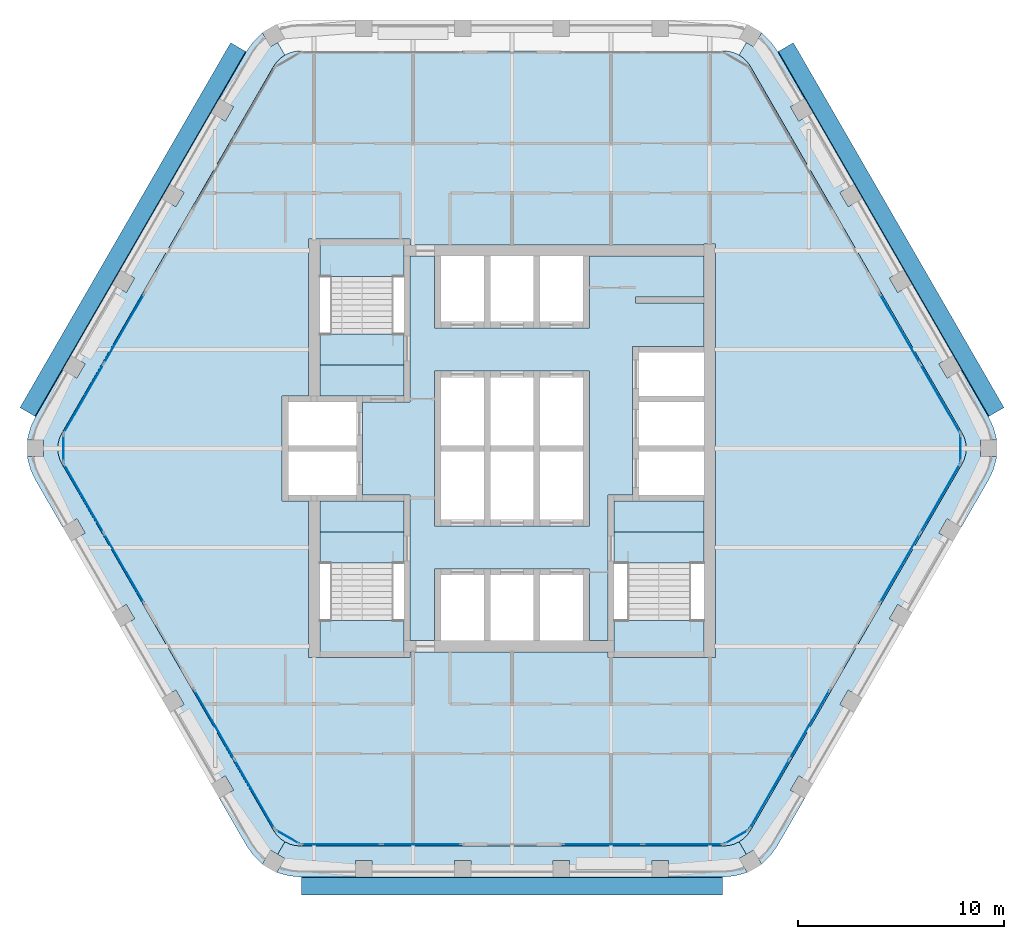
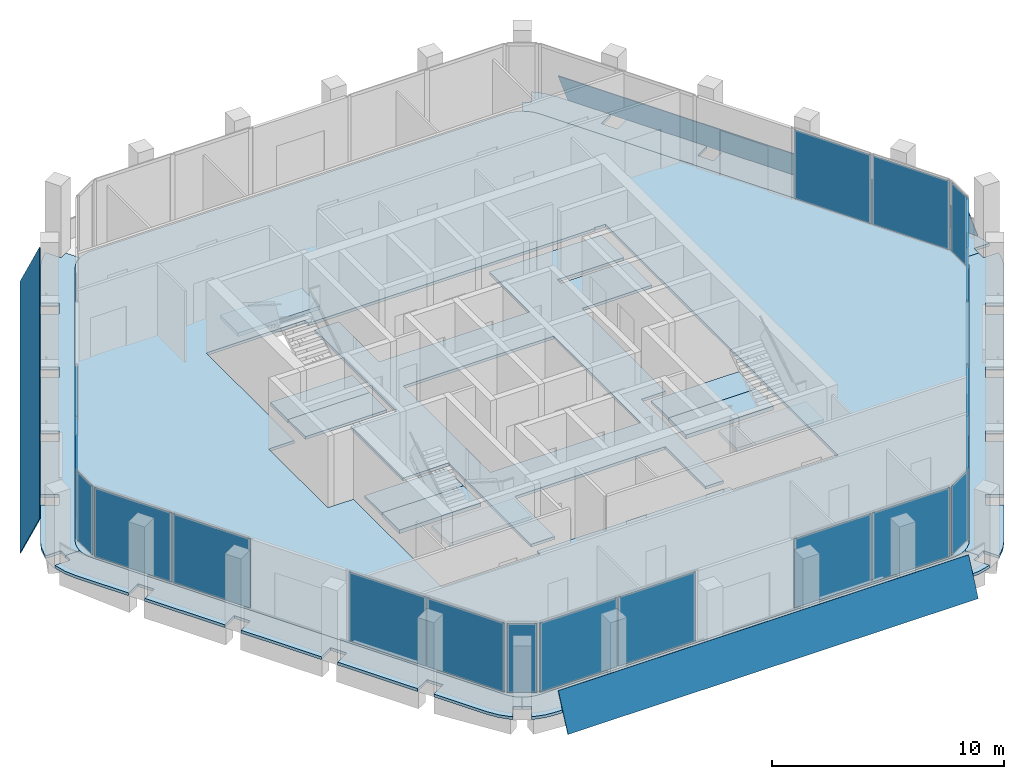
# One storey, part 6 of 14: 23 plates, 16 slabs, 15 elements without a shape of their own.
"""IFC4 building model written with IfcOpenShell, lengths in metres."""

from ifc_helpers import new_model, si_unit, direction, frame, origin, origin_2d, place, context, subcontext, project, spatial, polyline, rectangle, outline, extrude, material, layer, layer_set, type_object, element, aggregate, save


model = new_model("IFC4")

# Units and contexts
model_context = context("Model", 3, precision=1e-05, world=origin(), true_north=direction((0.0, 1.0)))
body_context = subcontext(model_context, "Body", "Model", "MODEL_VIEW")
ifc_project = project(units=[si_unit("LENGTHUNIT", "METRE"), si_unit("AREAUNIT", "SQUARE_METRE"), si_unit("VOLUMEUNIT", "CUBIC_METRE"), si_unit("PLANEANGLEUNIT", "RADIAN"), si_unit("MASSUNIT", "GRAM", prefix="KILO")], contexts=[model_context])

# Site, building, storey
site_placement = place(None, origin())
site = spatial("IfcSite", under=ifc_project, at=site_placement, CompositionType="ELEMENT")
building_placement = place(site_placement, origin())
building = spatial("IfcBuilding", under=site, at=building_placement, Name="Kolab Exchange Tower", CompositionType="ELEMENT")
storey_placement = place(building_placement, frame((0.0, 0.0, 246.199951171875)))
storey = spatial("IfcBuildingStorey", under=building, at=storey_placement, Name="L54", CompositionType="ELEMENT", Elevation=246.199951171875)

# Slabs
ifc_material_1 = material(Name="Concrete C35/45", Category="concrete")
ifc_layer_1 = layer(ifc_material_1, 0.14990234375)
ifc_layer_set_1 = layer_set([ifc_layer_1], Name="Concrete C35/45")
slab_type_1 = type_object("IfcSlabType", Name="FLOOR SLAB 150", PredefinedType="FLOOR", material=ifc_layer_set_1)
slab_1_placement = place(storey_placement, frame((0.0, 0.0, -0.14990234375)))
element("IfcSlab", 1, at=slab_1_placement, inside=storey, type_object=slab_type_1, Name="slab/L54/floor/0", PredefinedType="FLOOR", context=body_context, shape_type="SweptSolid", body=[
    extrude(outline(polyline([(11.56689453125, -18.53466796875), (21.8349609375, -0.75), (21.945556640625, -0.512939453125), (22.01318359375, -0.260498046875), (22.035888671875, 0.0), (22.01318359375, 0.260498046875), (21.945556640625, 0.512939453125), (21.8349609375, 0.75), (11.56689453125, 18.53466796875), (11.4169921875, 18.748779296875), (11.232177734375, 18.93359375), (11.01806640625, 19.083740234375), (10.781005859375, 19.194091796875), (10.5283203125, 19.26171875), (10.26806640625, 19.28466796875), (-10.26806640625, 19.28466796875), (-10.5283203125, 19.26171875), (-10.781005859375, 19.194091796875), (-11.01806640625, 19.083740234375), (-11.232177734375, 18.93359375), (-11.4169921875, 18.748779296875), (-11.56689453125, 18.53466796875), (-21.8349609375, 0.75), (-21.945556640625, 0.512939453125), (-22.01318359375, 0.260498046875), (-22.035888671875, 0.0), (-22.01318359375, -0.260498046875), (-21.945556640625, -0.512939453125), (-21.8349609375, -0.75), (-11.56689453125, -18.53466796875), (-11.4169921875, -18.748779296875), (-11.232177734375, -18.93359375), (-11.01806640625, -19.083740234375), (-10.781005859375, -19.194091796875), (-10.5283203125, -19.26171875), (-10.26806640625, -19.28466796875), (10.26806640625, -19.28466796875), (10.5283203125, -19.26171875), (10.781005859375, -19.194091796875), (11.01806640625, -19.083740234375), (11.232177734375, -18.93359375), (11.4169921875, -18.748779296875), (11.56689453125, -18.53466796875)]), holes=[polyline([(-9.324951171875, -10.14990234375), (-9.875, -10.14990234375), (-9.875, -2.550048828125), (-10.85009765625, -2.550048828125), (-11.14990234375, -2.550048828125), (-11.14990234375, 2.550048828125), (-10.85009765625, 2.550048828125), (-9.875, 2.550048828125), (-9.875, 10.14990234375), (-9.324951171875, 10.14990234375), (-5.25, 10.14990234375), (-4.949951171875, 10.14990234375), (-4.949951171875, 9.875), (9.324951171875, 9.875), (9.324951171875, 9.925048828125), (9.875, 9.925048828125), (9.875, -10.14990234375), (9.324951171875, -10.14990234375), (4.949951171875, -10.14990234375), (4.64990234375, -10.14990234375), (4.64990234375, -9.875), (-4.949951171875, -9.875), (-4.949951171875, -10.14990234375), (-5.25, -10.14990234375), (-9.324951171875, -10.14990234375)])]), origin(), (0.0, 0.0, 1.0), 0.14990234375),
])
slab_2_placement = place(storey_placement, frame((0.0, 0.0, -0.14990234375)))
element("IfcSlab", 2, at=slab_2_placement, inside=storey, type_object=slab_type_1, Name="slab/L54/floor/1", PredefinedType="FLOOR", context=body_context, shape_type="SweptSolid", body=[
    extrude(outline(polyline([(-4.949951171875, 9.324951171875), (-4.949951171875, 2.25), (-5.25, 2.25), (-7.25, 2.25), (-7.25, -2.25), (-5.25, -2.25), (-4.949951171875, -2.25), (-4.949951171875, -9.324951171875), (-3.75, -9.324951171875), (-3.75, -5.85009765625), (-3.449951171875, -5.85009765625), (-1.35009765625, -5.85009765625), (-1.050048828125, -5.85009765625), (1.050048828125, -5.85009765625), (1.35009765625, -5.85009765625), (3.449951171875, -5.85009765625), (3.75, -5.85009765625), (3.75, -9.324951171875), (4.64990234375, -9.324951171875), (4.64990234375, -2.25), (4.949951171875, -2.25), (5.85009765625, -2.25), (5.85009765625, 4.949951171875), (6.14990234375, 4.949951171875), (9.324951171875, 4.949951171875), (9.324951171875, 7.050048828125), (6.0, 7.050048828125), (6.0, 7.35009765625), (9.324951171875, 7.35009765625), (9.324951171875, 9.324951171875), (3.75, 9.324951171875), (3.75, 5.85009765625), (3.449951171875, 5.85009765625), (1.35009765625, 5.85009765625), (1.050048828125, 5.85009765625), (-1.050048828125, 5.85009765625), (-1.35009765625, 5.85009765625), (-3.449951171875, 5.85009765625), (-3.75, 5.85009765625), (-3.75, 9.324951171875), (-4.949951171875, 9.324951171875)]), holes=[polyline([(-3.449951171875, -3.75), (-3.75, -3.75), (-3.75, 3.75), (-3.449951171875, 3.75), (-1.35009765625, 3.75), (-1.050048828125, 3.75), (1.050048828125, 3.75), (1.35009765625, 3.75), (3.449951171875, 3.75), (3.75, 3.75), (3.75, -3.75), (3.449951171875, -3.75), (1.35009765625, -3.75), (1.050048828125, -3.75), (-1.050048828125, -3.75), (-1.35009765625, -3.75), (-3.449951171875, -3.75)])]), origin(), (0.0, 0.0, 1.0), 0.14990234375),
])
slab_3_placement = place(storey_placement, frame((0.0, 0.0, -0.14990234375)))
element("IfcSlab", 3, at=slab_3_placement, inside=storey, type_object=slab_type_1, Name="slab/L54/floor/2", PredefinedType="FLOOR", context=body_context, shape_type="SweptSolid", body=[
    extrude(outline(polyline([(4.949951171875, -2.550048828125), (4.949951171875, -4.050048828125), (9.324951171875, -4.050048828125), (9.324951171875, -2.550048828125), (6.14990234375, -2.550048828125), (5.85009765625, -2.550048828125), (4.949951171875, -2.550048828125)])), origin(), (0.0, 0.0, 1.0), 0.14990234375),
])
slab_4_placement = place(storey_placement, frame((0.0, 0.0, -0.14990234375)))
element("IfcSlab", 4, at=slab_4_placement, inside=storey, type_object=slab_type_1, Name="slab/L54/floor/3", PredefinedType="FLOOR", context=body_context, shape_type="SweptSolid", body=[
    extrude(outline(polyline([(-7.550048828125, -2.550048828125), (-9.324951171875, -2.550048828125), (-9.324951171875, -4.050048828125), (-5.25, -4.050048828125), (-5.25, -2.550048828125), (-7.25, -2.550048828125), (-7.550048828125, -2.550048828125)])), origin(), (0.0, 0.0, 1.0), 0.14990234375),
])
slab_5_placement = place(storey_placement, frame((0.0, 0.0, -0.14990234375)))
element("IfcSlab", 5, at=slab_5_placement, inside=storey, type_object=slab_type_1, Name="slab/L54/floor/4", PredefinedType="FLOOR", context=body_context, shape_type="SweptSolid", body=[
    extrude(outline(polyline([(-9.324951171875, 4.050048828125), (-9.324951171875, 2.550048828125), (-7.550048828125, 2.550048828125), (-7.25, 2.550048828125), (-5.25, 2.550048828125), (-5.25, 4.050048828125), (-9.324951171875, 4.050048828125)])), origin(), (0.0, 0.0, 1.0), 0.14990234375),
])
ifc_layer_2 = layer(ifc_material_1, 0.14990234375)
ifc_layer_set_2 = layer_set([ifc_layer_2], Name="Concrete C35/45")
slab_type_2 = type_object("IfcSlabType", Name="LOGGIA SLAB 150", PredefinedType="FLOOR", material=ifc_layer_set_2)
slab_6_placement = place(storey_placement, frame((0.0, 0.0, -0.14990234375)))
element("IfcSlab", 6, at=slab_6_placement, inside=storey, type_object=slab_type_2, Name="slab/L54/loggia/1-0", PredefinedType="FLOOR", context=body_context, shape_type="SweptSolid", body=[
    extrude(outline(polyline([(22.035888671875, 0.0), (22.73583984375, 0.0), (22.73583984375, 0.39990234375), (23.5009765625, 0.39990234375), (23.490234375, 0.52099609375), (23.35498046875, 1.026123046875), (23.134033203125, 1.5), (21.800048828125, 3.810546875), (21.107177734375, 3.410400390625), (20.707275390625, 4.103271484375), (21.39990234375, 4.50341796875), (19.39990234375, 7.967529296875), (18.707275390625, 7.5673828125), (18.30712890625, 8.26025390625), (19.0, 8.66015625), (17.0, 12.124267578125), (16.30712890625, 11.724365234375), (15.9072265625, 12.417236328125), (16.60009765625, 12.817138671875), (14.60009765625, 16.28125), (13.9072265625, 15.88134765625), (13.507080078125, 16.57421875), (14.199951171875, 16.97412109375), (12.865966796875, 19.28466796875), (12.566162109375, 19.712890625), (12.1962890625, 20.082763671875), (12.096923828125, 20.15234375), (11.71435546875, 19.48974609375), (11.367919921875, 19.68994140625), (11.01806640625, 19.083740234375), (11.232177734375, 18.93359375), (11.4169921875, 18.748779296875), (11.56689453125, 18.53466796875), (21.8349609375, 0.75), (21.945556640625, 0.512939453125), (22.01318359375, 0.260498046875), (22.035888671875, 0.0)])), origin(), (0.0, 0.0, 1.0), 0.14990234375),
])
slab_7_placement = place(storey_placement, frame((0.0, 0.0, -0.14990234375)))
element("IfcSlab", 7, at=slab_7_placement, inside=storey, type_object=slab_type_2, Name="slab/L54/loggia/2-0", PredefinedType="FLOOR", context=body_context, shape_type="SweptSolid", body=[
    extrude(outline(polyline([(12.865966796875, -19.28466796875), (14.199951171875, -16.97412109375), (13.507080078125, -16.57421875), (13.9072265625, -15.88134765625), (14.60009765625, -16.28125), (16.60009765625, -12.817138671875), (15.9072265625, -12.417236328125), (16.30712890625, -11.724365234375), (17.0, -12.124267578125), (19.0, -8.66015625), (18.30712890625, -8.26025390625), (18.707275390625, -7.5673828125), (19.39990234375, -7.967529296875), (21.39990234375, -4.50341796875), (20.707275390625, -4.103271484375), (21.107177734375, -3.410400390625), (21.800048828125, -3.810546875), (23.134033203125, -1.5), (23.35498046875, -1.026123046875), (23.490234375, -0.52099609375), (23.5009765625, -0.39990234375), (22.73583984375, -0.39990234375), (22.73583984375, 0.0), (22.035888671875, 0.0), (22.01318359375, -0.260498046875), (21.945556640625, -0.512939453125), (21.8349609375, -0.75), (11.56689453125, -18.53466796875), (11.4169921875, -18.748779296875), (11.232177734375, -18.93359375), (11.01806640625, -19.083740234375), (11.367919921875, -19.68994140625), (11.71435546875, -19.48974609375), (12.096923828125, -20.15234375), (12.1962890625, -20.082763671875), (12.566162109375, -19.712890625), (12.865966796875, -19.28466796875)])), origin(), (0.0, 0.0, 1.0), 0.14990234375),
])
slab_8_placement = place(storey_placement, frame((0.0, 0.0, -0.14990234375)))
element("IfcSlab", 8, at=slab_8_placement, inside=storey, type_object=slab_type_2, Name="slab/L54/loggia/3-0", PredefinedType="FLOOR", context=body_context, shape_type="SweptSolid", body=[
    extrude(outline(polyline([(-11.01806640625, -19.083740234375), (-11.367919921875, -19.68994140625), (-11.021484375, -19.889892578125), (-11.404052734375, -20.552490234375), (-11.2939453125, -20.603759765625), (-10.788818359375, -20.739013671875), (-10.26806640625, -20.78466796875), (-7.60009765625, -20.78466796875), (-7.60009765625, -19.984619140625), (-6.800048828125, -19.984619140625), (-6.800048828125, -20.78466796875), (-2.800048828125, -20.78466796875), (-2.800048828125, -19.984619140625), (-2.0, -19.984619140625), (-2.0, -20.78466796875), (2.0, -20.78466796875), (2.0, -19.984619140625), (2.800048828125, -19.984619140625), (2.800048828125, -20.78466796875), (6.800048828125, -20.78466796875), (6.800048828125, -19.984619140625), (7.60009765625, -19.984619140625), (7.60009765625, -20.78466796875), (10.26806640625, -20.78466796875), (10.788818359375, -20.739013671875), (11.2939453125, -20.603759765625), (11.404052734375, -20.552490234375), (11.021484375, -19.889892578125), (11.367919921875, -19.68994140625), (11.01806640625, -19.083740234375), (10.781005859375, -19.194091796875), (10.5283203125, -19.26171875), (10.26806640625, -19.28466796875), (-10.26806640625, -19.28466796875), (-10.5283203125, -19.26171875), (-10.781005859375, -19.194091796875), (-11.01806640625, -19.083740234375)])), origin(), (0.0, 0.0, 1.0), 0.14990234375),
])
slab_9_placement = place(storey_placement, frame((0.0, 0.0, -0.14990234375)))
element("IfcSlab", 9, at=slab_9_placement, inside=storey, type_object=slab_type_2, Name="slab/L54/loggia/4-0", PredefinedType="FLOOR", context=body_context, shape_type="SweptSolid", body=[
    extrude(outline(polyline([(-22.035888671875, 0.0), (-22.73583984375, 0.0), (-22.73583984375, -0.39990234375), (-23.5009765625, -0.39990234375), (-23.490234375, -0.52099609375), (-23.35498046875, -1.026123046875), (-23.134033203125, -1.5), (-21.800048828125, -3.810546875), (-21.107177734375, -3.410400390625), (-20.707275390625, -4.103271484375), (-21.39990234375, -4.50341796875), (-19.39990234375, -7.967529296875), (-18.707275390625, -7.5673828125), (-18.30712890625, -8.26025390625), (-19.0, -8.66015625), (-17.0, -12.124267578125), (-16.30712890625, -11.724365234375), (-15.9072265625, -12.417236328125), (-16.60009765625, -12.817138671875), (-14.60009765625, -16.28125), (-13.9072265625, -15.88134765625), (-13.507080078125, -16.57421875), (-14.199951171875, -16.97412109375), (-12.865966796875, -19.28466796875), (-12.566162109375, -19.712890625), (-12.1962890625, -20.082763671875), (-12.096923828125, -20.15234375), (-11.71435546875, -19.48974609375), (-11.367919921875, -19.68994140625), (-11.01806640625, -19.083740234375), (-11.232177734375, -18.93359375), (-11.4169921875, -18.748779296875), (-11.56689453125, -18.53466796875), (-21.8349609375, -0.75), (-21.945556640625, -0.512939453125), (-22.01318359375, -0.260498046875), (-22.035888671875, 0.0)])), origin(), (0.0, 0.0, 1.0), 0.14990234375),
])
slab_10_placement = place(storey_placement, frame((0.0, 0.0, -0.14990234375)))
element("IfcSlab", 10, at=slab_10_placement, inside=storey, type_object=slab_type_2, Name="slab/L54/loggia/5-0", PredefinedType="FLOOR", context=body_context, shape_type="SweptSolid", body=[
    extrude(outline(polyline([(-11.01806640625, 19.083740234375), (-11.367919921875, 19.68994140625), (-11.71435546875, 19.48974609375), (-12.096923828125, 20.15234375), (-12.1962890625, 20.082763671875), (-12.566162109375, 19.712890625), (-12.865966796875, 19.28466796875), (-14.199951171875, 16.97412109375), (-13.507080078125, 16.57421875), (-13.9072265625, 15.88134765625), (-14.60009765625, 16.28125), (-16.60009765625, 12.817138671875), (-15.9072265625, 12.417236328125), (-16.30712890625, 11.724365234375), (-17.0, 12.124267578125), (-19.0, 8.66015625), (-18.30712890625, 8.26025390625), (-18.707275390625, 7.5673828125), (-19.39990234375, 7.967529296875), (-21.39990234375, 4.50341796875), (-20.707275390625, 4.103271484375), (-21.107177734375, 3.410400390625), (-21.800048828125, 3.810546875), (-23.134033203125, 1.5), (-23.35498046875, 1.026123046875), (-23.490234375, 0.52099609375), (-23.5009765625, 0.39990234375), (-22.73583984375, 0.39990234375), (-22.73583984375, 0.0), (-22.035888671875, 0.0), (-22.01318359375, 0.260498046875), (-21.945556640625, 0.512939453125), (-21.8349609375, 0.75), (-11.56689453125, 18.53466796875), (-11.4169921875, 18.748779296875), (-11.232177734375, 18.93359375), (-11.01806640625, 19.083740234375)])), origin(), (0.0, 0.0, 1.0), 0.14990234375),
])

# Plates
ifc_material_2 = material(Name="Laminated glass, clear", Category="glass")
ifc_layer_3 = layer(ifc_material_2, 0.0400390625)
ifc_layer_set_3 = layer_set([ifc_layer_3], Name="Laminated glass, clear")
plate_type_1 = type_object("IfcPlateType", Name="OUTER SKIN LAMINATED GLASS SHEET 40", PredefinedType="SHEET", material=ifc_layer_set_3)
plate_1_placement = place(storey_placement, frame((13.6494140625, 19.67919921875, -0.68310546875), z_axis=(0.784886322863, 0.453152182031, 0.422618693508), x_axis=(0.499997422494, -0.866026891901, 1.981408e-06)))
element("IfcPlate", 11, at=plate_1_placement, inside=storey, type_object=plate_type_1, Name="Outer skin", PredefinedType="SHEET", context=body_context, shape_type="SweptSolid", body=[
    extrude(outline(polyline([(0.0, 0.0), (20.435802623779963, 0.0), (20.435856947346753, -1.9860898935068516), (-6.774611643567295e-05, -1.9861792489881693), (0.0, 0.0)])), origin(), (0.0, 0.0, -1.0), 0.0400390625),
])
plate_2_placement = place(storey_placement, frame((10.218017578125, -21.66015625, -0.68310546875), z_axis=(0.0, -0.906311853188, 0.422609541742), x_axis=(-1.0, 0.0, 0.0)))
element("IfcPlate", 12, at=plate_2_placement, inside=storey, type_object=plate_type_1, Name="Outer skin", PredefinedType="SHEET", context=body_context, shape_type="SweptSolid", body=[
    extrude(outline(polyline([(0.0, 0.0), (20.43603515625, 0.0), (20.43603515625, -1.9861252192534886), (0.0, -1.9861252192534886), (0.0, 0.0)])), origin(), (0.0, 0.0, -1.0), 0.0400390625),
])
plate_3_placement = place(storey_placement, frame((-23.8671875, 1.981201171875, -0.68310546875), z_axis=(-0.784886322863, 0.453152182031, 0.422618693508), x_axis=(0.499997422494, 0.866026891901, -1.981408e-06)))
element("IfcPlate", 13, at=plate_3_placement, inside=storey, type_object=plate_type_1, Name="Outer skin", PredefinedType="SHEET", context=body_context, shape_type="SweptSolid", body=[
    extrude(outline(polyline([(0.0, 0.0), (20.435802623779963, 0.0), (20.435870369896403, -1.9861792489881698), (-5.4323566790471804e-05, -1.9860898935068518), (0.0, 0.0)])), origin(), (0.0, 0.0, -1.0), 0.0400390625),
])

# Stair, slabs
ifc_material_3 = material(Name="Concrete C50/60", Category="concrete")
stair_type_1 = type_object("IfcStairType", Name="STAIR ST1 RISER 177.3", PredefinedType="HALF_TURN_STAIR", material=ifc_material_3)
stair_1_placement = place(storey_placement, origin())
stair_1 = element("IfcStair", 14, at=stair_1_placement, inside=storey, type_object=stair_type_1, Name="Stair 1", PredefinedType="HALF_TURN_STAIR")
ifc_layer_4 = layer(ifc_material_3, 0.199951171875)
ifc_layer_set_4 = layer_set([ifc_layer_4], Name="Concrete C50/60")
slab_type_3 = type_object("IfcSlabType", Name="STAIR LANDING 200", PredefinedType="LANDING", material=ifc_layer_set_4)
slab_11_placement = place(storey_placement, frame((0.0, 0.0, -0.199951171875)))
slab_11 = element("IfcSlab", 15, at=slab_11_placement, type_object=slab_type_3, Name="ST1 landing 1", PredefinedType="LANDING", context=body_context, shape_type="SweptSolid", body=[
    extrude(outline(polyline([(-9.324951171875, 4.050048828125), (-5.25, 4.050048828125), (-5.25, 5.550048828125), (-9.324951171875, 5.550048828125), (-9.324951171875, 4.050048828125)])), origin(), (0.0, 0.0, 1.0), 0.199951171875),
])
slab_12_placement = place(storey_placement, frame((0.0, 0.0, 1.75)))
slab_12 = element("IfcSlab", 16, at=slab_12_placement, type_object=slab_type_3, Name="ST1 landing 2", PredefinedType="LANDING", context=body_context, shape_type="SweptSolid", body=[
    extrude(outline(polyline([(-9.324951171875, 8.35009765625), (-5.25, 8.35009765625), (-5.25, 9.909912109375), (-9.324951171875, 9.909912109375), (-9.324951171875, 8.35009765625)])), origin(), (0.0, 0.0, 1.0), 0.199951171875),
])
aggregate(stair_1, [slab_11, slab_12])

stair_type_2 = type_object("IfcStairType", Name="STAIR ST3 RISER 177.3", PredefinedType="HALF_TURN_STAIR", material=ifc_material_3)
stair_2_placement = place(storey_placement, origin())
stair_2 = element("IfcStair", 17, at=stair_2_placement, inside=storey, type_object=stair_type_2, Name="Stair 3", PredefinedType="HALF_TURN_STAIR")
slab_13_placement = place(storey_placement, frame((0.0, 0.0, -0.199951171875)))
slab_13 = element("IfcSlab", 18, at=slab_13_placement, type_object=slab_type_3, Name="ST3 landing 1", PredefinedType="LANDING", context=body_context, shape_type="SweptSolid", body=[
    extrude(outline(polyline([(-9.324951171875, -5.550048828125), (-5.25, -5.550048828125), (-5.25, -4.050048828125), (-9.324951171875, -4.050048828125), (-9.324951171875, -5.550048828125)])), origin(), (0.0, 0.0, 1.0), 0.199951171875),
])
slab_14_placement = place(storey_placement, frame((0.0, 0.0, 1.75)))
slab_14 = element("IfcSlab", 19, at=slab_14_placement, type_object=slab_type_3, Name="ST3 landing 2", PredefinedType="LANDING", context=body_context, shape_type="SweptSolid", body=[
    extrude(outline(polyline([(-9.324951171875, -9.909912109375), (-5.25, -9.909912109375), (-5.25, -8.35009765625), (-9.324951171875, -8.35009765625), (-9.324951171875, -9.909912109375)])), origin(), (0.0, 0.0, 1.0), 0.199951171875),
])
aggregate(stair_2, [slab_13, slab_14])

stair_type_3 = type_object("IfcStairType", Name="STAIR ST2 RISER 177.3", PredefinedType="HALF_TURN_STAIR", material=ifc_material_3)
stair_3_placement = place(storey_placement, origin())
stair_3 = element("IfcStair", 20, at=stair_3_placement, inside=storey, type_object=stair_type_3, Name="Stair 2", PredefinedType="HALF_TURN_STAIR")
slab_15_placement = place(storey_placement, frame((0.0, 0.0, -0.199951171875)))
slab_15 = element("IfcSlab", 21, at=slab_15_placement, type_object=slab_type_3, Name="ST2 landing 1", PredefinedType="LANDING", context=body_context, shape_type="SweptSolid", body=[
    extrude(outline(polyline([(4.949951171875, -5.550048828125), (9.324951171875, -5.550048828125), (9.324951171875, -4.050048828125), (4.949951171875, -4.050048828125), (4.949951171875, -5.550048828125)])), origin(), (0.0, 0.0, 1.0), 0.199951171875),
])
slab_16_placement = place(storey_placement, frame((0.0, 0.0, 1.75)))
slab_16 = element("IfcSlab", 22, at=slab_16_placement, type_object=slab_type_3, Name="ST2 landing 2", PredefinedType="LANDING", context=body_context, shape_type="SweptSolid", body=[
    extrude(outline(polyline([(4.949951171875, -9.909912109375), (9.324951171875, -9.909912109375), (9.324951171875, -8.35009765625), (4.949951171875, -8.35009765625), (4.949951171875, -9.909912109375)])), origin(), (0.0, 0.0, 1.0), 0.199951171875),
])
aggregate(stair_3, [slab_15, slab_16])

# Curtain wall, plates
ifc_material_4 = material(Name="Aluminium EN AW-6063 T6", Category="aluminium")
curtain_wall_type = type_object("IfcCurtainWallType", Name="UNITISED HIGH ZONE CURTAIN WALL", PredefinedType="NOTDEFINED", material=ifc_material_4)
curtain_wall_1_placement = place(storey_placement, origin())
curtain_wall_1 = element("IfcCurtainWall", 23, at=curtain_wall_1_placement, inside=storey, type_object=curtain_wall_type, Name="cw/L54/F2-2", PredefinedType="NOTDEFINED")
ifc_material_5 = material(Name="Clear insulated glazing unit", Category="glass")
ifc_layer_5 = layer(ifc_material_5, 0.030029296875)
ifc_layer_set_5 = layer_set([ifc_layer_5], Name="Clear insulated glazing unit")
plate_type_2 = type_object("IfcPlateType", Name="UNITISED HIGH ZONE GLASS PANEL 30", PredefinedType="CURTAIN_PANEL", material=ifc_layer_set_5)
plate_4_placement = place(storey_placement, frame((18.82275390625, 5.807373046875, 0.06005859375), z_axis=(0.0, 0.0, 1.0), x_axis=(0.499999936366, -0.866025440524, 0.0)))
plate_4 = element("IfcPlate", 24, at=plate_4_placement, type_object=plate_type_2, Name="CW4 panel 1.1", PredefinedType="CURTAIN_PANEL", context=body_context, shape_type="SweptSolid", body=[
    extrude(rectangle(XDim=3.843994140625, YDim=0.030029296875, at=origin_2d()), origin(), (0.0, 0.0, 1.0), 3.6298828125),
])
plate_5_placement = place(storey_placement, frame((20.774658203125, 2.426513671875, 0.06005859375), z_axis=(0.0, 0.0, 1.0), x_axis=(0.499999936366, -0.866025440524, 0.0)))
plate_5 = element("IfcPlate", 25, at=plate_5_placement, type_object=plate_type_2, Name="CW4 panel 2.1", PredefinedType="CURTAIN_PANEL", context=body_context, shape_type="SweptSolid", body=[
    extrude(rectangle(XDim=3.843994140625, YDim=0.030029296875, at=origin_2d()), origin(), (0.0, 0.0, 1.0), 3.6298828125),
])
aggregate(curtain_wall_1, [plate_4, plate_5])

curtain_wall_2_placement = place(storey_placement, origin())
curtain_wall_2 = element("IfcCurtainWall", 26, at=curtain_wall_2_placement, inside=storey, type_object=curtain_wall_type, Name="cw/L54/F3-1", PredefinedType="NOTDEFINED")
plate_6_placement = place(storey_placement, frame((20.774658203125, -2.426513671875, 0.06005859375), z_axis=(0.0, 0.0, 1.0), x_axis=(-0.499999936366, -0.866025440524, 0.0)))
plate_6 = element("IfcPlate", 27, at=plate_6_placement, type_object=plate_type_2, Name="CW4 panel 1.1", PredefinedType="CURTAIN_PANEL", context=body_context, shape_type="SweptSolid", body=[
    extrude(rectangle(XDim=3.843994140625, YDim=0.030029296875, at=origin_2d()), origin(), (0.0, 0.0, 1.0), 3.6298828125),
])
plate_7_placement = place(storey_placement, frame((18.82275390625, -5.807373046875, 0.06005859375), z_axis=(0.0, 0.0, 1.0), x_axis=(-0.499999936366, -0.866025440524, 0.0)))
plate_7 = element("IfcPlate", 28, at=plate_7_placement, type_object=plate_type_2, Name="CW4 panel 2.1", PredefinedType="CURTAIN_PANEL", context=body_context, shape_type="SweptSolid", body=[
    extrude(rectangle(XDim=3.843994140625, YDim=0.030029296875, at=origin_2d()), origin(), (0.0, 0.0, 1.0), 3.6298828125),
])
aggregate(curtain_wall_2, [plate_6, plate_7])

curtain_wall_3_placement = place(storey_placement, origin())
curtain_wall_3 = element("IfcCurtainWall", 29, at=curtain_wall_3_placement, inside=storey, type_object=curtain_wall_type, Name="cw/L54/F3-2", PredefinedType="NOTDEFINED")
plate_8_placement = place(storey_placement, frame((14.440673828125, -13.397216796875, 0.06005859375), z_axis=(0.0, 0.0, 1.0), x_axis=(-0.500000031681, -0.866025385493, 0.0)))
plate_8 = element("IfcPlate", 30, at=plate_8_placement, type_object=plate_type_2, Name="CW4 panel 1.1", PredefinedType="CURTAIN_PANEL", context=body_context, shape_type="SweptSolid", body=[
    extrude(rectangle(XDim=3.843994140625, YDim=0.030029296875, at=origin_2d()), origin(), (0.0, 0.0, 1.0), 3.6298828125),
])
plate_9_placement = place(storey_placement, frame((12.48876953125, -16.778076171875, 0.06005859375), z_axis=(0.0, 0.0, 1.0), x_axis=(-0.500000031681, -0.866025385493, 0.0)))
plate_9 = element("IfcPlate", 31, at=plate_9_placement, type_object=plate_type_2, Name="CW4 panel 2.1", PredefinedType="CURTAIN_PANEL", context=body_context, shape_type="SweptSolid", body=[
    extrude(rectangle(XDim=3.843994140625, YDim=0.030029296875, at=origin_2d()), origin(), (0.0, 0.0, 1.0), 3.6298828125),
])
aggregate(curtain_wall_3, [plate_8, plate_9])

curtain_wall_4_placement = place(storey_placement, origin())
curtain_wall_4 = element("IfcCurtainWall", 32, at=curtain_wall_4_placement, inside=storey, type_object=curtain_wall_type, Name="cw/L54/F4-1", PredefinedType="NOTDEFINED")
plate_10_placement = place(storey_placement, frame((8.285888671875, -19.20458984375, 0.06005859375), z_axis=(0.0, 0.0, 1.0), x_axis=(-1.0, 0.0, 0.0)))
plate_10 = element("IfcPlate", 33, at=plate_10_placement, type_object=plate_type_2, Name="CW4 panel 1.1", PredefinedType="CURTAIN_PANEL", context=body_context, shape_type="SweptSolid", body=[
    extrude(rectangle(XDim=3.843994140625, YDim=0.030029296875, at=origin_2d()), origin(), (0.0, 0.0, 1.0), 3.6298828125),
])
plate_11_placement = place(storey_placement, frame((4.382080078125, -19.20458984375, 0.06005859375), z_axis=(0.0, 0.0, 1.0), x_axis=(-1.0, 0.0, 0.0)))
plate_11 = element("IfcPlate", 34, at=plate_11_placement, type_object=plate_type_2, Name="CW4 panel 2.1", PredefinedType="CURTAIN_PANEL", context=body_context, shape_type="SweptSolid", body=[
    extrude(rectangle(XDim=3.843994140625, YDim=0.030029296875, at=origin_2d()), origin(), (0.0, 0.0, 1.0), 3.6298828125),
])
aggregate(curtain_wall_4, [plate_10, plate_11])

curtain_wall_5_placement = place(storey_placement, origin())
curtain_wall_5 = element("IfcCurtainWall", 35, at=curtain_wall_5_placement, inside=storey, type_object=curtain_wall_type, Name="cw/L54/F4-2", PredefinedType="NOTDEFINED")
plate_12_placement = place(storey_placement, frame((-4.382080078125, -19.20458984375, 0.06005859375), z_axis=(0.0, 0.0, 1.0), x_axis=(-1.0, 0.0, 0.0)))
plate_12 = element("IfcPlate", 36, at=plate_12_placement, type_object=plate_type_2, Name="CW4 panel 1.1", PredefinedType="CURTAIN_PANEL", context=body_context, shape_type="SweptSolid", body=[
    extrude(rectangle(XDim=3.843994140625, YDim=0.030029296875, at=origin_2d()), origin(), (0.0, 0.0, 1.0), 3.6298828125),
])
plate_13_placement = place(storey_placement, frame((-8.285888671875, -19.20458984375, 0.06005859375), z_axis=(0.0, 0.0, 1.0), x_axis=(-1.0, 0.0, 0.0)))
plate_13 = element("IfcPlate", 37, at=plate_13_placement, type_object=plate_type_2, Name="CW4 panel 2.1", PredefinedType="CURTAIN_PANEL", context=body_context, shape_type="SweptSolid", body=[
    extrude(rectangle(XDim=3.843994140625, YDim=0.030029296875, at=origin_2d()), origin(), (0.0, 0.0, 1.0), 3.6298828125),
])
aggregate(curtain_wall_5, [plate_12, plate_13])

curtain_wall_6_placement = place(storey_placement, origin())
curtain_wall_6 = element("IfcCurtainWall", 38, at=curtain_wall_6_placement, inside=storey, type_object=curtain_wall_type, Name="cw/L54/F5-1", PredefinedType="NOTDEFINED")
plate_14_placement = place(storey_placement, frame((-12.48876953125, -16.778076171875, 0.06005859375), z_axis=(0.0, 0.0, 1.0), x_axis=(-0.500000031681, 0.866025385493, 0.0)))
plate_14 = element("IfcPlate", 39, at=plate_14_placement, type_object=plate_type_2, Name="CW4 panel 1.1", PredefinedType="CURTAIN_PANEL", context=body_context, shape_type="SweptSolid", body=[
    extrude(rectangle(XDim=3.843994140625, YDim=0.030029296875, at=origin_2d()), origin(), (0.0, 0.0, 1.0), 3.6298828125),
])
plate_15_placement = place(storey_placement, frame((-14.440673828125, -13.397216796875, 0.06005859375), z_axis=(0.0, 0.0, 1.0), x_axis=(-0.500000031681, 0.866025385493, 0.0)))
plate_15 = element("IfcPlate", 40, at=plate_15_placement, type_object=plate_type_2, Name="CW4 panel 2.1", PredefinedType="CURTAIN_PANEL", context=body_context, shape_type="SweptSolid", body=[
    extrude(rectangle(XDim=3.843994140625, YDim=0.030029296875, at=origin_2d()), origin(), (0.0, 0.0, 1.0), 3.6298828125),
])
aggregate(curtain_wall_6, [plate_14, plate_15])

curtain_wall_7_placement = place(storey_placement, origin())
curtain_wall_7 = element("IfcCurtainWall", 41, at=curtain_wall_7_placement, inside=storey, type_object=curtain_wall_type, Name="cw/L54/F5-2", PredefinedType="NOTDEFINED")
plate_16_placement = place(storey_placement, frame((-18.82275390625, -5.807373046875, 0.06005859375), z_axis=(0.0, 0.0, 1.0), x_axis=(-0.499999936366, 0.866025440524, 0.0)))
plate_16 = element("IfcPlate", 42, at=plate_16_placement, type_object=plate_type_2, Name="CW4 panel 1.1", PredefinedType="CURTAIN_PANEL", context=body_context, shape_type="SweptSolid", body=[
    extrude(rectangle(XDim=3.843994140625, YDim=0.030029296875, at=origin_2d()), origin(), (0.0, 0.0, 1.0), 3.6298828125),
])
plate_17_placement = place(storey_placement, frame((-20.774658203125, -2.426513671875, 0.06005859375), z_axis=(0.0, 0.0, 1.0), x_axis=(-0.499999936366, 0.866025440524, 0.0)))
plate_17 = element("IfcPlate", 43, at=plate_17_placement, type_object=plate_type_2, Name="CW4 panel 2.1", PredefinedType="CURTAIN_PANEL", context=body_context, shape_type="SweptSolid", body=[
    extrude(rectangle(XDim=3.843994140625, YDim=0.030029296875, at=origin_2d()), origin(), (0.0, 0.0, 1.0), 3.6298828125),
])
aggregate(curtain_wall_7, [plate_16, plate_17])

curtain_wall_8_placement = place(storey_placement, origin())
curtain_wall_8 = element("IfcCurtainWall", 44, at=curtain_wall_8_placement, inside=storey, type_object=curtain_wall_type, Name="cw/L54/F6-1", PredefinedType="NOTDEFINED")
plate_18_placement = place(storey_placement, frame((-20.774658203125, 2.426513671875, 0.06005859375), z_axis=(0.0, 0.0, 1.0), x_axis=(0.499999936366, 0.866025440524, 0.0)))
plate_18 = element("IfcPlate", 45, at=plate_18_placement, type_object=plate_type_2, Name="CW4 panel 1.1", PredefinedType="CURTAIN_PANEL", context=body_context, shape_type="SweptSolid", body=[
    extrude(rectangle(XDim=3.843994140625, YDim=0.030029296875, at=origin_2d()), origin(), (0.0, 0.0, 1.0), 3.6298828125),
])
plate_19_placement = place(storey_placement, frame((-18.82275390625, 5.807373046875, 0.06005859375), z_axis=(0.0, 0.0, 1.0), x_axis=(0.499999936366, 0.866025440524, 0.0)))
plate_19 = element("IfcPlate", 46, at=plate_19_placement, type_object=plate_type_2, Name="CW4 panel 2.1", PredefinedType="CURTAIN_PANEL", context=body_context, shape_type="SweptSolid", body=[
    extrude(rectangle(XDim=3.843994140625, YDim=0.030029296875, at=origin_2d()), origin(), (0.0, 0.0, 1.0), 3.6298828125),
])
aggregate(curtain_wall_8, [plate_18, plate_19])

# Curtain wall, plate
curtain_wall_9_placement = place(storey_placement, origin())
curtain_wall_9 = element("IfcCurtainWall", 47, at=curtain_wall_9_placement, inside=storey, type_object=curtain_wall_type, Name="cw/L54/F2F3-corner", PredefinedType="NOTDEFINED")
plate_20_placement = place(storey_placement, frame((21.765625, 0.0, 0.06005859375), z_axis=(0.0, 0.0, 1.0), x_axis=(0.0, -1.0, 0.0)))
plate_20 = element("IfcPlate", 48, at=plate_20_placement, type_object=plate_type_2, Name="CW4 panel 1.1", PredefinedType="CURTAIN_PANEL", context=body_context, shape_type="SweptSolid", body=[
    extrude(rectangle(XDim=1.300048828125, YDim=0.030029296875, at=origin_2d()), origin(), (0.0, 0.0, 1.0), 3.6298828125),
])
aggregate(curtain_wall_9, [plate_20])

curtain_wall_10_placement = place(storey_placement, origin())
curtain_wall_10 = element("IfcCurtainWall", 49, at=curtain_wall_10_placement, inside=storey, type_object=curtain_wall_type, Name="cw/L54/F3F4-corner", PredefinedType="NOTDEFINED")
plate_21_placement = place(storey_placement, frame((10.8828125, -18.849609375, 0.06005859375), z_axis=(0.0, 0.0, 1.0), x_axis=(-0.866025390869, -0.50000002237, 0.0)))
plate_21 = element("IfcPlate", 50, at=plate_21_placement, type_object=plate_type_2, Name="CW4 panel 1.1", PredefinedType="CURTAIN_PANEL", context=body_context, shape_type="SweptSolid", body=[
    extrude(rectangle(XDim=1.300048828125, YDim=0.030029296875, at=origin_2d()), origin(), (0.0, 0.0, 1.0), 3.6298828125),
])
aggregate(curtain_wall_10, [plate_21])

curtain_wall_11_placement = place(storey_placement, origin())
curtain_wall_11 = element("IfcCurtainWall", 51, at=curtain_wall_11_placement, inside=storey, type_object=curtain_wall_type, Name="cw/L54/F4F5-corner", PredefinedType="NOTDEFINED")
plate_22_placement = place(storey_placement, frame((-10.8828125, -18.849609375, 0.06005859375), z_axis=(0.0, 0.0, 1.0), x_axis=(-0.866025390869, 0.50000002237, 0.0)))
plate_22 = element("IfcPlate", 52, at=plate_22_placement, type_object=plate_type_2, Name="CW4 panel 1.1", PredefinedType="CURTAIN_PANEL", context=body_context, shape_type="SweptSolid", body=[
    extrude(rectangle(XDim=1.300048828125, YDim=0.030029296875, at=origin_2d()), origin(), (0.0, 0.0, 1.0), 3.6298828125),
])
aggregate(curtain_wall_11, [plate_22])

curtain_wall_12_placement = place(storey_placement, origin())
curtain_wall_12 = element("IfcCurtainWall", 53, at=curtain_wall_12_placement, inside=storey, type_object=curtain_wall_type, Name="cw/L54/F5F6-corner", PredefinedType="NOTDEFINED")
plate_23_placement = place(storey_placement, frame((-21.765625, 0.0, 0.06005859375), z_axis=(0.0, 0.0, 1.0), x_axis=(0.0, 1.0, 0.0)))
plate_23 = element("IfcPlate", 54, at=plate_23_placement, type_object=plate_type_2, Name="CW4 panel 1.1", PredefinedType="CURTAIN_PANEL", context=body_context, shape_type="SweptSolid", body=[
    extrude(rectangle(XDim=1.300048828125, YDim=0.030029296875, at=origin_2d()), origin(), (0.0, 0.0, 1.0), 3.6298828125),
])
aggregate(curtain_wall_12, [plate_23])

save(model, "model.ifc")
